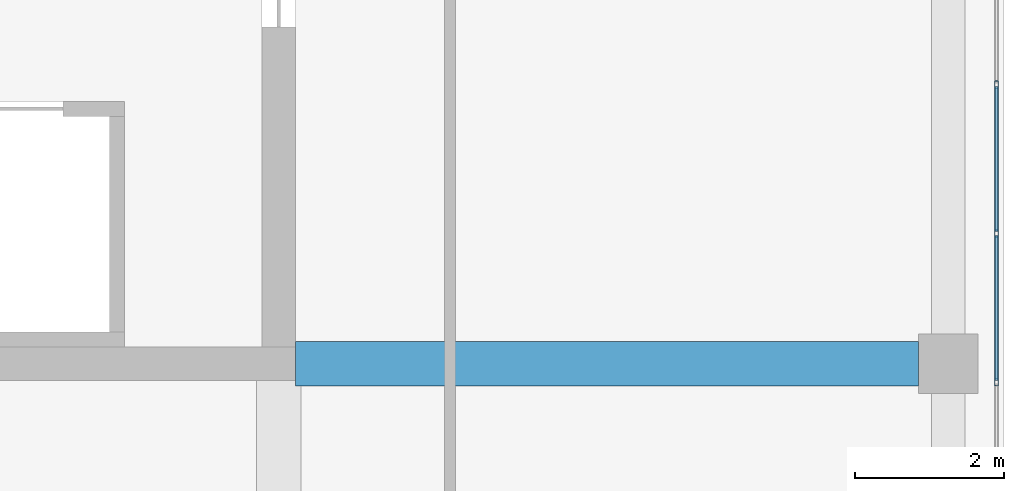
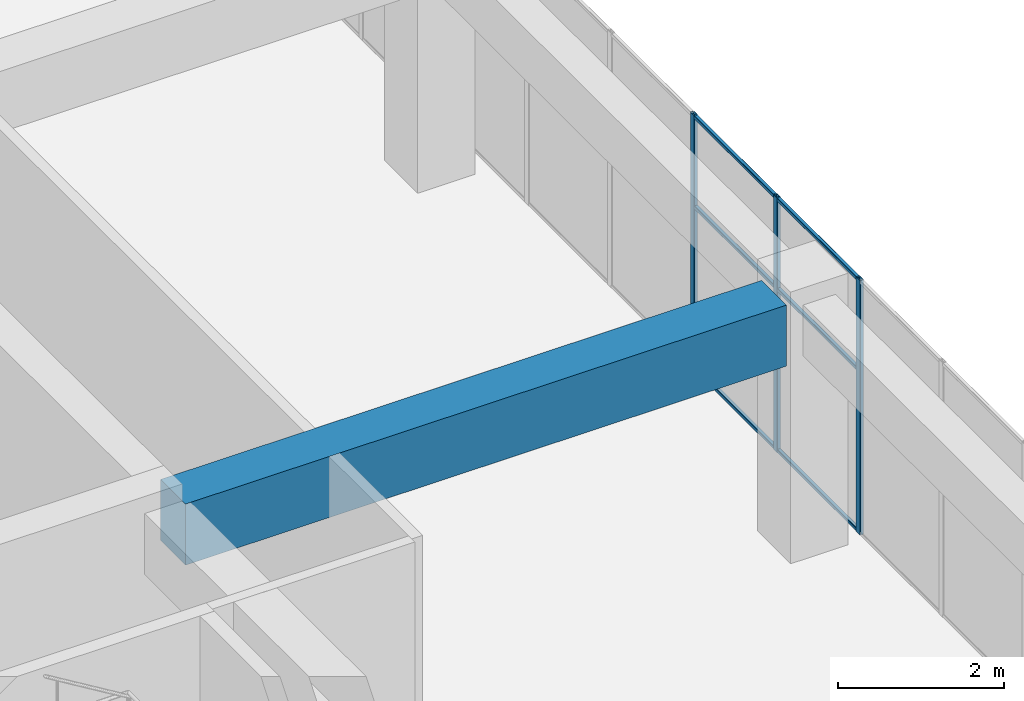
# One storey, part 39 of 66: 9 members, 1 beam, 1 element without a shape of its own.
"""IFC4 building model written with IfcOpenShell, lengths in metres."""

from ifc_helpers import new_model, si_unit, direction, frame, origin, origin_2d, place, context, subcontext, project, spatial, rectangle, hollow_rectangle, extrude, material, layer, layer_set, material_profile, profile_set, type_object, element, aggregate, save


model = new_model("IFC4")

# Units and contexts
model_context = context("Model", 3, precision=1e-05, world=origin(), true_north=direction((0.0, 1.0)))
body_context = subcontext(model_context, "Body", "Model", "MODEL_VIEW")
ifc_project = project(units=[si_unit("LENGTHUNIT", "METRE"), si_unit("AREAUNIT", "SQUARE_METRE"), si_unit("VOLUMEUNIT", "CUBIC_METRE"), si_unit("PLANEANGLEUNIT", "RADIAN"), si_unit("MASSUNIT", "GRAM", prefix="KILO")], contexts=[model_context])

# Site, building, storey
site_placement = place(None, origin())
site = spatial("IfcSite", under=ifc_project, at=site_placement, CompositionType="ELEMENT")
building_placement = place(site_placement, origin())
building = spatial("IfcBuilding", under=site, at=building_placement, Name="Tuart Plaza Theatre", CompositionType="ELEMENT")
storey_placement = place(building_placement, frame((0.0, 0.0, 5.5)))
storey = spatial("IfcBuildingStorey", under=building, at=storey_placement, Name="L01", CompositionType="ELEMENT", Elevation=5.5)

# Beam
ifc_material_1 = material(Name="Concrete N40 (40 MPa)", Category="concrete")
ifc_material_profile_1 = material_profile(ifc_material_1, rectangle(XDim=0.60009765625, YDim=0.89990234375, at=origin_2d()), Name="BEAM 600x900 Concrete N40 (40 MPa)")
ifc_profile_set_1 = profile_set([ifc_material_profile_1], Name="Concrete N40 (40 MPa)")
beam_type = type_object("IfcBeamType", Name="BEAM 600x900 Concrete N40 (40 MPa)", PredefinedType="BEAM", material=ifc_profile_set_1)
beam_placement = place(storey_placement, frame((141.22509765625, 65.0, 3.300048828125), z_axis=(1.0, 0.0, 0.0), x_axis=(0.0, 1.0, 0.0)))
element("IfcBeam", 1, at=beam_placement, inside=storey, type_object=beam_type, Name="RB194", PredefinedType="BEAM", context=body_context, shape_type="SweptSolid", body=[
    extrude(rectangle(XDim=0.60009765625, YDim=0.89990234375, at=origin_2d()), origin(), (0.0, 0.0, 1.0), 8.375),
])

# Curtain wall, members
ifc_material_2 = material(Name="Aluminium and glass", Category="aluminium")
ifc_layer = layer(ifc_material_2, 0.10009765625)
ifc_layer_set = layer_set([ifc_layer], Name="CURTAIN WALL 2000 module")
curtain_wall_type = type_object("IfcCurtainWallType", Name="CURTAIN WALL 2000 module", PredefinedType="NOTDEFINED", material=ifc_layer_set)
curtain_wall_placement = place(storey_placement, origin())
curtain_wall = element("IfcCurtainWall", 2, at=curtain_wall_placement, inside=storey, type_object=curtain_wall_type, Name="CW69", PredefinedType="NOTDEFINED")
ifc_material_3 = material(Name="Aluminium 6063-T5", Category="aluminium")
ifc_material_profile_2 = material_profile(ifc_material_3, hollow_rectangle(XDim=0.050048828125, YDim=0.10009765625, WallThickness=0.00390625, InnerFilletRadius=0.00390625, OuterFilletRadius=0.008056640625, at=origin_2d()), Name="RHS 100x50x4")
ifc_profile_set_2 = profile_set([ifc_material_profile_2], Name="Aluminium 6063-T5")
member_type_1 = type_object("IfcMemberType", Name="MULLION RHS 100x50x4", PredefinedType="MULLION", material=ifc_profile_set_2)
member_1_placement = place(storey_placement, frame((150.64990234375, 64.75, 0.0), z_axis=(0.0, 0.0, 1.0), x_axis=(-1.0, 0.0, 0.0)))
member_1 = element("IfcMember", 3, at=member_1_placement, type_object=member_type_1, Name="CW69 mullion 8", PredefinedType="MULLION", context=body_context, shape_type="SweptSolid", body=[
    extrude(hollow_rectangle(XDim=0.050048828125, YDim=0.10009765625, WallThickness=0.00390625, InnerFilletRadius=0.00390625, OuterFilletRadius=0.008056640625, at=origin_2d()), origin(), (0.0, 0.0, 1.0), 3.75),
])
member_2_placement = place(storey_placement, frame((150.64990234375, 66.75, 0.0), z_axis=(0.0, 0.0, 1.0), x_axis=(-1.0, 0.0, 0.0)))
member_2 = element("IfcMember", 4, at=member_2_placement, type_object=member_type_1, Name="CW69 mullion 9", PredefinedType="MULLION", context=body_context, shape_type="SweptSolid", body=[
    extrude(hollow_rectangle(XDim=0.050048828125, YDim=0.10009765625, WallThickness=0.00390625, InnerFilletRadius=0.00390625, OuterFilletRadius=0.008056640625, at=origin_2d()), origin(), (0.0, 0.0, 1.0), 3.75),
])
member_3_placement = place(storey_placement, frame((150.64990234375, 68.75, 0.0), z_axis=(0.0, 0.0, 1.0), x_axis=(-1.0, 0.0, 0.0)))
member_3 = element("IfcMember", 5, at=member_3_placement, type_object=member_type_1, Name="CW69 mullion 10", PredefinedType="MULLION", context=body_context, shape_type="SweptSolid", body=[
    extrude(hollow_rectangle(XDim=0.050048828125, YDim=0.10009765625, WallThickness=0.00390625, InnerFilletRadius=0.00390625, OuterFilletRadius=0.008056640625, at=origin_2d()), origin(), (0.0, 0.0, 1.0), 3.75),
])
ifc_material_4 = material(Name="Aluminium 6063-T5", Category="aluminium")
ifc_material_profile_3 = material_profile(ifc_material_4, hollow_rectangle(XDim=0.050048828125, YDim=0.050048828125, WallThickness=0.00390625, InnerFilletRadius=0.00390625, OuterFilletRadius=0.008056640625, at=origin_2d()), Name="RHS 50x50x4")
ifc_profile_set_3 = profile_set([ifc_material_profile_3], Name="Aluminium 6063-T5")
member_type_2 = type_object("IfcMemberType", Name="TRANSOM RHS 50x50x4", PredefinedType="USERDEFINED", material=ifc_profile_set_3)
member_4_placement = place(storey_placement, frame((150.64990234375, 64.77490234375, 0.02490234375), z_axis=(0.0, 1.0, 0.0), x_axis=(-1.0, 0.0, 0.0)))
member_4 = element("IfcMember", 6, at=member_4_placement, type_object=member_type_2, Name="CW69 transom 8.1", ObjectType="TRANSOM", PredefinedType="USERDEFINED", context=body_context, shape_type="SweptSolid", body=[
    extrude(hollow_rectangle(XDim=0.050048828125, YDim=0.050048828125, WallThickness=0.00390625, InnerFilletRadius=0.00390625, OuterFilletRadius=0.008056640625, at=origin_2d()), origin(), (0.0, 0.0, 1.0), 1.9501953125),
])
member_5_placement = place(storey_placement, frame((150.64990234375, 64.77490234375, 2.39990234375), z_axis=(0.0, 1.0, 0.0), x_axis=(-1.0, 0.0, 0.0)))
member_5 = element("IfcMember", 7, at=member_5_placement, type_object=member_type_2, Name="CW69 transom 8.2", ObjectType="TRANSOM", PredefinedType="USERDEFINED", context=body_context, shape_type="SweptSolid", body=[
    extrude(hollow_rectangle(XDim=0.050048828125, YDim=0.050048828125, WallThickness=0.00390625, InnerFilletRadius=0.00390625, OuterFilletRadius=0.008056640625, at=origin_2d()), origin(), (0.0, 0.0, 1.0), 1.9501953125),
])
member_6_placement = place(storey_placement, frame((150.64990234375, 64.77490234375, 3.72509765625), z_axis=(0.0, 1.0, 0.0), x_axis=(-1.0, 0.0, 0.0)))
member_6 = element("IfcMember", 8, at=member_6_placement, type_object=member_type_2, Name="CW69 transom 8.3", ObjectType="TRANSOM", PredefinedType="USERDEFINED", context=body_context, shape_type="SweptSolid", body=[
    extrude(hollow_rectangle(XDim=0.050048828125, YDim=0.050048828125, WallThickness=0.00390625, InnerFilletRadius=0.00390625, OuterFilletRadius=0.008056640625, at=origin_2d()), origin(), (0.0, 0.0, 1.0), 1.9501953125),
])
member_7_placement = place(storey_placement, frame((150.64990234375, 66.77490234375, 0.02490234375), z_axis=(0.0, 1.0, 0.0), x_axis=(-1.0, 0.0, 0.0)))
member_7 = element("IfcMember", 9, at=member_7_placement, type_object=member_type_2, Name="CW69 transom 9.1", ObjectType="TRANSOM", PredefinedType="USERDEFINED", context=body_context, shape_type="SweptSolid", body=[
    extrude(hollow_rectangle(XDim=0.050048828125, YDim=0.050048828125, WallThickness=0.00390625, InnerFilletRadius=0.00390625, OuterFilletRadius=0.008056640625, at=origin_2d()), origin(), (0.0, 0.0, 1.0), 1.9501953125),
])
member_8_placement = place(storey_placement, frame((150.64990234375, 66.77490234375, 2.39990234375), z_axis=(0.0, 1.0, 0.0), x_axis=(-1.0, 0.0, 0.0)))
member_8 = element("IfcMember", 10, at=member_8_placement, type_object=member_type_2, Name="CW69 transom 9.2", ObjectType="TRANSOM", PredefinedType="USERDEFINED", context=body_context, shape_type="SweptSolid", body=[
    extrude(hollow_rectangle(XDim=0.050048828125, YDim=0.050048828125, WallThickness=0.00390625, InnerFilletRadius=0.00390625, OuterFilletRadius=0.008056640625, at=origin_2d()), origin(), (0.0, 0.0, 1.0), 1.9501953125),
])
member_9_placement = place(storey_placement, frame((150.64990234375, 66.77490234375, 3.72509765625), z_axis=(0.0, 1.0, 0.0), x_axis=(-1.0, 0.0, 0.0)))
member_9 = element("IfcMember", 11, at=member_9_placement, type_object=member_type_2, Name="CW69 transom 9.3", ObjectType="TRANSOM", PredefinedType="USERDEFINED", context=body_context, shape_type="SweptSolid", body=[
    extrude(hollow_rectangle(XDim=0.050048828125, YDim=0.050048828125, WallThickness=0.00390625, InnerFilletRadius=0.00390625, OuterFilletRadius=0.008056640625, at=origin_2d()), origin(), (0.0, 0.0, 1.0), 1.9501953125),
])
aggregate(curtain_wall, [member_1, member_2, member_3, member_4, member_5, member_6, member_7, member_8, member_9])

save(model, "model.ifc")
